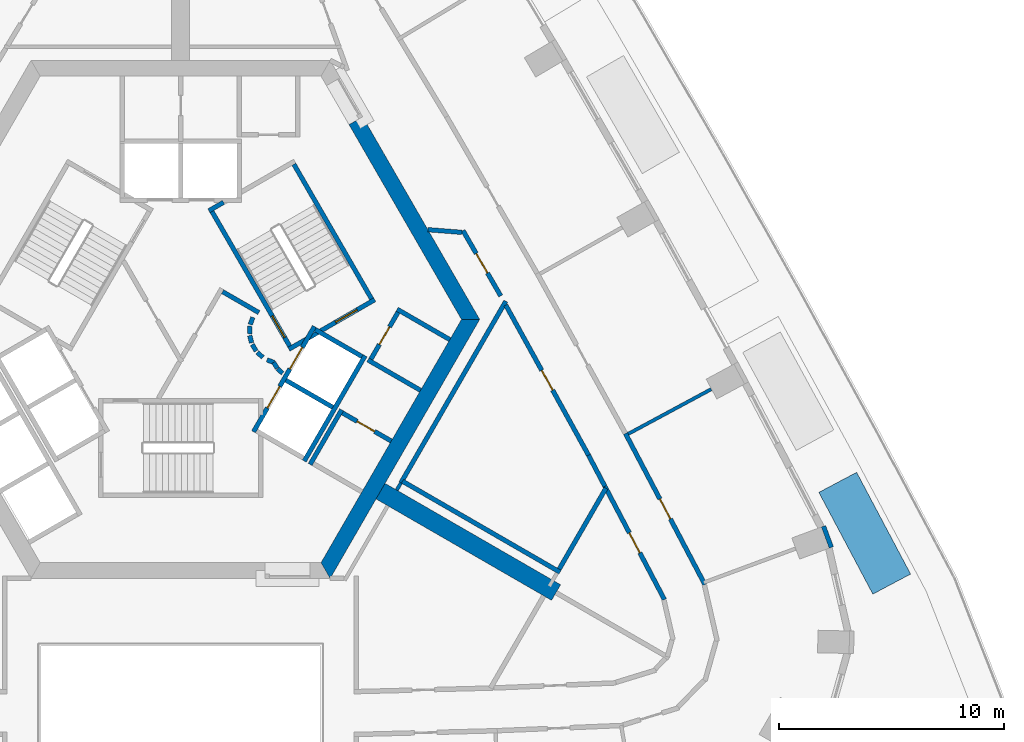
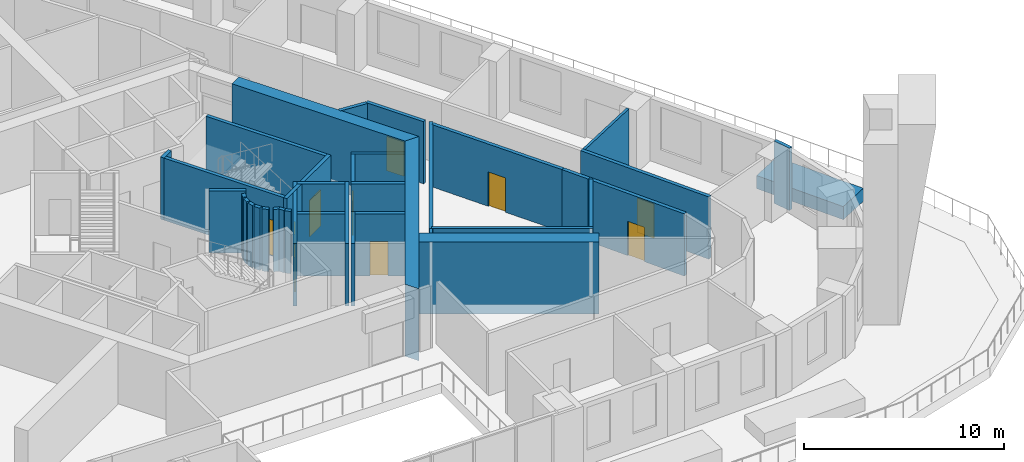
# One storey, part 7 of 13: 38 walls, 10 doors, 10 openings.
"""IFC4 building model written with IfcOpenShell, lengths in metres."""

from ifc_helpers import new_model, si_unit, direction, frame, frame_2d, origin, place, context, subcontext, project, spatial, polyline, rectangle, outline, extrude, material, layer, layer_set, type_object, element, fill, save


model = new_model("IFC4")

# Units and contexts
model_context = context("Model", 3, precision=1e-05, world=origin(), true_north=direction((0.0, 1.0)))
body_context = subcontext(model_context, "Body", "Model", "MODEL_VIEW")
ifc_project = project(units=[si_unit("LENGTHUNIT", "METRE"), si_unit("AREAUNIT", "SQUARE_METRE"), si_unit("VOLUMEUNIT", "CUBIC_METRE"), si_unit("PLANEANGLEUNIT", "RADIAN"), si_unit("MASSUNIT", "GRAM", prefix="KILO")], contexts=[model_context])

# Site, building, storey
site_placement = place(None, origin())
site = spatial("IfcSite", under=ifc_project, at=site_placement, CompositionType="ELEMENT")
building_placement = place(site_placement, origin())
building = spatial("IfcBuilding", under=site, at=building_placement, Name="Entoto Arch Interchange Tower", CompositionType="ELEMENT")
storey_placement = place(building_placement, frame((0.0, 0.0, 189.800048828125)))
storey = spatial("IfcBuildingStorey", under=building, at=storey_placement, Name="L42", CompositionType="ELEMENT", Elevation=189.800048828125)

# Walls
ifc_material_1 = material(Name="Concrete C50/60", Category="concrete")
ifc_layer_1 = layer(ifc_material_1, 0.800048828125)
ifc_layer_set_1 = layer_set([ifc_layer_1], Name="Concrete C50/60")
wall_type_1 = type_object("IfcWallType", Name="Buttress wall 800 C50/60", PredefinedType="SHEAR", material=ifc_layer_set_1)
wall_1_placement = place(storey_placement, frame((8.876953125, -5.125, -0.60009765625), z_axis=(0.0, 0.0, 1.0), x_axis=(0.866017533419, -0.500013631625, 0.0)))
element("IfcWall", 1, at=wall_1_placement, inside=storey, type_object=wall_type_1, Name="Buttress wall SE L42", PredefinedType="SHEAR", context=body_context, shape_type="SweptSolid", body=[
    extrude(rectangle(XDim=8.999755859375, YDim=0.800048828125, at=frame_2d((4.5, 0.0))), origin(), (0.0, 0.0, 1.0), 4.400146484375),
])
ifc_layer_2 = layer(ifc_material_1, 0.699951171875)
ifc_layer_set_2 = layer_set([ifc_layer_2], Name="Concrete C50/60")
wall_type_2 = type_object("IfcWallType", Name="Core wall 700 C50/60", PredefinedType="SHEAR", material=ifc_layer_set_2)
wall_2_placement = place(storey_placement, frame((0.0, 0.0, -0.60009765625)))
element("IfcWall", 2, at=wall_2_placement, inside=storey, type_object=wall_type_2, Name="Core wall NE L42", PredefinedType="SHEAR", context=body_context, shape_type="SweptSolid", body=[
    extrude(outline(polyline([(8.083984375, 11.498046875), (7.47802734375, 11.14794921875), (12.470947265625, 2.5), (13.279052734375, 2.5), (8.083984375, 11.498046875)])), origin(), (0.0, 0.0, 1.0), 4.400146484375),
])
wall_3_placement = place(storey_placement, frame((0.0, 0.0, -0.60009765625)))
element("IfcWall", 3, at=wall_3_placement, inside=storey, type_object=wall_type_2, Name="Core wall SE L42", PredefinedType="SHEAR", context=body_context, shape_type="SweptSolid", body=[
    extrude(outline(polyline([(6.639892578125, -9.0), (13.279052734375, 2.5), (12.470947265625, 2.5), (6.235107421875, -8.300048828125), (6.639892578125, -9.0)])), origin(), (0.0, 0.0, 1.0), 4.400146484375),
])

# Wall, openings, doors
ifc_material_2 = material(Name="Concrete C40/50", Category="concrete")
ifc_layer_3 = layer(ifc_material_2, 0.199951171875)
ifc_layer_set_3 = layer_set([ifc_layer_3], Name="Concrete C40/50")
wall_type_3 = type_object("IfcWallType", Name="LIFT SHAFT WALL 200", PredefinedType="STANDARD", material=ifc_layer_set_3)
wall_4_placement = place(storey_placement, frame((3.239990234375, -2.488037109375, 0.0), z_axis=(0.0, 0.0, 1.0), x_axis=(0.500034260056, 0.866005622828, 0.0)))
wall_4 = element("IfcWall", 4, at=wall_4_placement, inside=storey, type_object=wall_type_3, Name="Shaft wall SE1 front", PredefinedType="STANDARD", context=body_context, shape_type="SweptSolid", body=[
    extrude(rectangle(XDim=5.3994140625, YDim=0.199951171875, at=frame_2d((2.69970703125, 0.0))), origin(), (0.0, 0.0, 1.0), 3.800048828125),
])
opening_1_placement = place(wall_4_placement, frame((3.22509765625, 0.0, 0.0)))
opening_1 = element("IfcOpeningElement", 5, at=opening_1_placement, cuts=wall_4, Name="Opening LD-HR3-L42", PredefinedType="OPENING", context=body_context, shape_type="SweptSolid", body=[
    extrude(rectangle(XDim=1.10009765625, YDim=2.10009765625, at=frame_2d((0.550048828125, 1.050048828125))), frame((0.0, 0.10986328125, 0.0), z_axis=(0.0, -1.0, 0.0), x_axis=(1.0, 0.0, 0.0)), (0.0, 0.0, 1.0), 0.219970703125),
])
opening_2_placement = place(wall_4_placement, frame((1.22509765625, 0.0, 0.0)))
opening_2 = element("IfcOpeningElement", 6, at=opening_2_placement, cuts=wall_4, Name="Opening LD-FF1-L42", PredefinedType="OPENING", context=body_context, shape_type="SweptSolid", body=[
    extrude(rectangle(XDim=1.10009765625, YDim=2.10009765625, at=frame_2d((0.550048828125, 1.050048828125))), frame((0.0, 0.10986328125, 0.0), z_axis=(0.0, -1.0, 0.0), x_axis=(1.0, 0.0, 0.0)), (0.0, 0.0, 1.0), 0.219970703125),
])
ifc_material_3 = material(Name="Stainless steel 1.4301 panels", Category="steel")
door_type_1 = type_object("IfcDoorType", Name="LIFT LANDING DOOR LD1 1100x2100", OperationType="SLIDING_TO_LEFT", PredefinedType="DOOR", material=ifc_material_3)
door_1_placement = place(opening_1_placement, origin())
door_1 = element("IfcDoor", 7, at=door_1_placement, inside=storey, type_object=door_type_1, Name="Lift landing door HR3 L42", OperationType="SLIDING_TO_LEFT", OverallHeight=2.10009765625, OverallWidth=1.10009765625, PredefinedType="DOOR", context=body_context, shape_type="SweptSolid", body=[
    extrude(rectangle(XDim=1.10009765625, YDim=2.10009765625, at=frame_2d((0.550048828125, 1.050048828125))), frame((0.0, 0.02490234375, 0.0), z_axis=(0.0, -1.0, 0.0), x_axis=(1.0, 0.0, 0.0)), (0.0, 0.0, 1.0), 0.050048828125),
])
fill(opening_1, door_1)
door_2_placement = place(opening_2_placement, origin())
door_2 = element("IfcDoor", 8, at=door_2_placement, inside=storey, type_object=door_type_1, Name="Lift landing door FF1 L42", OperationType="SLIDING_TO_LEFT", OverallHeight=2.10009765625, OverallWidth=1.10009765625, PredefinedType="DOOR", context=body_context, shape_type="SweptSolid", body=[
    extrude(rectangle(XDim=1.10009765625, YDim=2.10009765625, at=frame_2d((0.550048828125, 1.050048828125))), frame((0.0, 0.02490234375, 0.0), z_axis=(0.0, -1.0, 0.0), x_axis=(1.0, 0.0, 0.0)), (0.0, 0.0, 1.0), 0.050048828125),
])
fill(opening_2, door_2)

# Walls
wall_5_placement = place(storey_placement, frame((5.491943359375, -3.7880859375, 0.0), z_axis=(0.0, 0.0, 1.0), x_axis=(0.500034260056, 0.866005622828, 0.0)))
element("IfcWall", 9, at=wall_5_placement, inside=storey, type_object=wall_type_3, Name="Shaft wall SE1 back", PredefinedType="STANDARD", context=body_context, shape_type="SweptSolid", body=[
    extrude(rectangle(XDim=5.3994140625, YDim=0.199951171875, at=frame_2d((2.69970703125, 0.0))), origin(), (0.0, 0.0, 1.0), 3.800048828125),
])
for number, where, z_axis, x_axis, name in (
    (10, (4.677001953125, -0.199951171875, 0.0), (0.0, 0.0, 1.0), (0.865973769406, -0.500089422704, 0.0), "Shaft wall SE1 cross 2"),
    (11, (5.97705078125, 2.052001953125, 0.0), (0.0, 0.0, 1.0), (0.865973769406, -0.500089422704, 0.0), "Shaft wall SE1 cross 3"),
):
    element("IfcWall", number, at=place(storey_placement, frame(where, z_axis=z_axis, x_axis=x_axis)), inside=storey, type_object=wall_type_3, Name=name, PredefinedType="STANDARD", context=body_context, shape_type="SweptSolid", body=[
        extrude(rectangle(XDim=2.3994140625, YDim=0.199951171875, at=frame_2d((1.19970703125, 0.0))), origin(), (0.0, 0.0, 1.0), 3.800048828125),
    ])
ifc_material_4 = material(Name="Gypsum board partition on steel studs", Category="steel")
ifc_layer_4 = layer(ifc_material_4, 0.14990234375)
ifc_layer_set_4 = layer_set([ifc_layer_4], Name="Gypsum board partition on steel studs")
wall_type_4 = type_object("IfcWallType", Name="PARTITION 150", PredefinedType="PARTITIONING", material=ifc_layer_set_4)
wall_6_placement = place(storey_placement, frame((19.873046875, -2.58203125, 0.0), z_axis=(0.0, 0.0, 1.0), x_axis=(0.880480475723, 0.474082410421, 0.0)))
element("IfcWall", 12, at=wall_6_placement, inside=storey, type_object=wall_type_4, Name="wall:L42:p111", PredefinedType="PARTITIONING", context=body_context, shape_type="SweptSolid", body=[
    extrude(rectangle(XDim=4.1806640625, YDim=0.14990234375, at=frame_2d((2.09033203125, 0.0))), origin(), (0.0, 0.0, 1.0), 3.800048828125),
])
wall_7_placement = place(storey_placement, frame((9.595947265625, -5.077880859375, 0.0), z_axis=(0.0, 0.0, 1.0), x_axis=(0.500827895298, 0.86554689029, 0.0)))
element("IfcWall", 13, at=wall_7_placement, inside=storey, type_object=wall_type_4, Name="wall:L42:p080", PredefinedType="PARTITIONING", context=body_context, shape_type="SweptSolid", body=[
    extrude(rectangle(XDim=0.369384765625, YDim=0.14990234375, at=frame_2d((0.1845703125, 0.0))), origin(), (0.0, 0.0, 1.0), 3.800048828125),
])

# Wall, opening, door
ifc_layer_5 = layer(ifc_material_4, 0.199951171875)
ifc_layer_set_5 = layer_set([ifc_layer_5], Name="Gypsum board partition on steel studs")
wall_type_5 = type_object("IfcWallType", Name="PARTITION 200", PredefinedType="PARTITIONING", material=ifc_layer_set_5)
wall_8_placement = place(storey_placement, frame((14.212890625, 3.54296875, 0.0), z_axis=(0.0, 0.0, 1.0), x_axis=(-0.500182898346, 0.865919781621, 0.0)))
wall_8 = element("IfcWall", 14, at=wall_8_placement, inside=storey, type_object=wall_type_5, Name="wall:L42:p005", PredefinedType="PARTITIONING", context=body_context, shape_type="SweptSolid", body=[
    extrude(rectangle(XDim=3.350341796875, YDim=0.199951171875, at=frame_2d((1.67529296875, 0.0))), origin(), (0.0, 0.0, 1.0), 3.800048828125),
])
opening_3_placement = place(wall_8_placement, frame((1.175048828125, 0.0, 0.0)))
opening_3 = element("IfcOpeningElement", 15, at=opening_3_placement, cuts=wall_8, Name="Opening L42-D27", PredefinedType="OPENING", context=body_context, shape_type="SweptSolid", body=[
    extrude(rectangle(XDim=1.0, YDim=2.10009765625, at=frame_2d((0.5, 1.050048828125))), frame((0.0, 0.10986328125, 0.0), z_axis=(0.0, -1.0, 0.0), x_axis=(1.0, 0.0, 0.0)), (0.0, 0.0, 1.0), 0.219970703125),
])
ifc_material_5 = material(Name="Timber door leaf in Steel S235 frame", Category="steel")
door_type_2 = type_object("IfcDoorType", Name="DOOR DS-10 1000x2100", OperationType="SINGLE_SWING_LEFT", PredefinedType="DOOR", material=ifc_material_5)
door_3_placement = place(opening_3_placement, origin())
door_3 = element("IfcDoor", 16, at=door_3_placement, inside=storey, type_object=door_type_2, Name="door:L42:27", OperationType="SINGLE_SWING_LEFT", OverallHeight=2.10009765625, OverallWidth=1.0, PredefinedType="DOOR", context=body_context, shape_type="SweptSolid", body=[
    extrude(rectangle(XDim=1.0, YDim=2.10009765625, at=frame_2d((0.5, 1.050048828125))), frame((0.0, 0.02490234375, 0.0), z_axis=(0.0, -1.0, 0.0), x_axis=(1.0, 0.0, 0.0)), (0.0, 0.0, 1.0), 0.050048828125),
])
fill(opening_3, door_3)

# Walls
wall_9_placement = place(storey_placement, frame((12.488037109375, 6.365966796875, 0.0), z_axis=(0.0, 0.0, 1.0), x_axis=(-0.996960771308, 0.077905201835, 0.0)))
element("IfcWall", 17, at=wall_9_placement, inside=storey, type_object=wall_type_5, Name="wall:L42:p006", PredefinedType="PARTITIONING", context=body_context, shape_type="SweptSolid", body=[
    extrude(rectangle(XDim=1.513671875, YDim=0.199951171875, at=frame_2d((0.7568359375, 0.0))), origin(), (0.0, 0.0, 1.0), 3.800048828125),
])
wall_10_placement = place(storey_placement, frame((18.8359375, -4.906005859375, 0.0), z_axis=(0.0, 0.0, 1.0), x_axis=(-0.465843561357, 0.884867095299, 0.0)))
element("IfcWall", 18, at=wall_10_placement, inside=storey, type_object=wall_type_5, Name="wall:L42:p018", PredefinedType="PARTITIONING", context=body_context, shape_type="SweptSolid", body=[
    extrude(rectangle(XDim=1.553955078125, YDim=0.199951171875, at=frame_2d((0.77685546875, 0.0))), origin(), (0.0, 0.0, 1.0), 3.800048828125),
])

# Wall, opening, door
wall_11_placement = place(storey_placement, frame((18.112060546875, -3.531005859375, 0.0), z_axis=(0.0, 0.0, 1.0), x_axis=(-0.482800061144, 0.875730609811, 0.0)))
wall_11 = element("IfcWall", 19, at=wall_11_placement, inside=storey, type_object=wall_type_5, Name="wall:L42:p019", PredefinedType="PARTITIONING", context=body_context, shape_type="SweptSolid", body=[
    extrude(rectangle(XDim=7.612060546875, YDim=0.199951171875, at=frame_2d((3.80615234375, 0.0))), origin(), (0.0, 0.0, 1.0), 3.800048828125),
])
opening_4_placement = place(wall_11_placement, frame((3.305908203125, 0.0, 0.0)))
opening_4 = element("IfcOpeningElement", 20, at=opening_4_placement, cuts=wall_11, Name="Opening L42-D18", PredefinedType="OPENING", context=body_context, shape_type="SweptSolid", body=[
    extrude(rectangle(XDim=1.0, YDim=2.10009765625, at=frame_2d((0.5, 1.050048828125))), frame((0.0, 0.10986328125, 0.0), z_axis=(0.0, -1.0, 0.0), x_axis=(1.0, 0.0, 0.0)), (0.0, 0.0, 1.0), 0.219970703125),
])
door_4_placement = place(opening_4_placement, origin())
door_4 = element("IfcDoor", 21, at=door_4_placement, inside=storey, type_object=door_type_2, Name="door:L42:18", OperationType="SINGLE_SWING_LEFT", OverallHeight=2.10009765625, OverallWidth=1.0, PredefinedType="DOOR", context=body_context, shape_type="SweptSolid", body=[
    extrude(rectangle(XDim=1.0, YDim=2.10009765625, at=frame_2d((0.5, 1.050048828125))), frame((0.0, 0.02490234375, 0.0), z_axis=(0.0, -1.0, 0.0), x_axis=(1.0, 0.0, 0.0)), (0.0, 0.0, 1.0), 0.050048828125),
])
fill(opening_4, door_4)

wall_12_placement = place(storey_placement, frame((21.47998046875, -9.93505859375, 0.0), z_axis=(0.0, 0.0, 1.0), x_axis=(-0.465356775138, 0.885123195851, 0.0)))
wall_12 = element("IfcWall", 22, at=wall_12_placement, inside=storey, type_object=wall_type_5, Name="wall:L42:p025", PredefinedType="PARTITIONING", context=body_context, shape_type="SweptSolid", body=[
    extrude(rectangle(XDim=5.681640625, YDim=0.199951171875, at=frame_2d((2.8408203125, 0.0))), origin(), (0.0, 0.0, 1.0), 3.800048828125),
])
opening_5_placement = place(wall_12_placement, frame((2.341064453125, 0.0, 0.0)))
opening_5 = element("IfcOpeningElement", 23, at=opening_5_placement, cuts=wall_12, Name="Opening L42-D20", PredefinedType="OPENING", context=body_context, shape_type="SweptSolid", body=[
    extrude(rectangle(XDim=1.0, YDim=2.10009765625, at=frame_2d((0.5, 1.050048828125))), frame((0.0, 0.10986328125, 0.0), z_axis=(0.0, -1.0, 0.0), x_axis=(1.0, 0.0, 0.0)), (0.0, 0.0, 1.0), 0.219970703125),
])
door_5_placement = place(opening_5_placement, origin())
door_5 = element("IfcDoor", 24, at=door_5_placement, inside=storey, type_object=door_type_2, Name="door:L42:20", OperationType="SINGLE_SWING_LEFT", OverallHeight=2.10009765625, OverallWidth=1.0, PredefinedType="DOOR", context=body_context, shape_type="SweptSolid", body=[
    extrude(rectangle(XDim=1.0, YDim=2.10009765625, at=frame_2d((0.5, 1.050048828125))), frame((0.0, 0.02490234375, 0.0), z_axis=(0.0, -1.0, 0.0), x_axis=(1.0, 0.0, 0.0)), (0.0, 0.0, 1.0), 0.050048828125),
])
fill(opening_5, door_5)

wall_13_placement = place(storey_placement, frame((19.75, -2.56298828125, 0.0), z_axis=(0.0, 0.0, 1.0), x_axis=(0.465444987791, -0.885076812113, 0.0)))
wall_13 = element("IfcWall", 25, at=wall_13_placement, inside=storey, type_object=wall_type_5, Name="wall:L42:p041", PredefinedType="PARTITIONING", context=body_context, shape_type="SweptSolid", body=[
    extrude(rectangle(XDim=7.577880859375, YDim=0.199951171875, at=frame_2d((3.7890625, 0.0))), origin(), (0.0, 0.0, 1.0), 3.800048828125),
])
opening_6_placement = place(wall_13_placement, frame((3.2890625, 0.0, 0.0)))
opening_6 = element("IfcOpeningElement", 26, at=opening_6_placement, cuts=wall_13, Name="Opening L42-D04", PredefinedType="OPENING", context=body_context, shape_type="SweptSolid", body=[
    extrude(rectangle(XDim=1.0, YDim=2.10009765625, at=frame_2d((0.5, 1.050048828125))), frame((0.0, 0.10986328125, 0.0), z_axis=(0.0, -1.0, 0.0), x_axis=(1.0, 0.0, 0.0)), (0.0, 0.0, 1.0), 0.219970703125),
])
door_6_placement = place(opening_6_placement, origin())
door_6 = element("IfcDoor", 27, at=door_6_placement, inside=storey, type_object=door_type_2, Name="door:L42:04", OperationType="SINGLE_SWING_LEFT", OverallHeight=2.10009765625, OverallWidth=1.0, PredefinedType="DOOR", context=body_context, shape_type="SweptSolid", body=[
    extrude(rectangle(XDim=1.0, YDim=2.10009765625, at=frame_2d((0.5, 1.050048828125))), frame((0.0, 0.02490234375, 0.0), z_axis=(0.0, -1.0, 0.0), x_axis=(1.0, 0.0, 0.0)), (0.0, 0.0, 1.0), 0.050048828125),
])
fill(opening_6, door_6)

# Wall
wall_14_placement = place(storey_placement, frame((5.7509765625, -3.93798828125, 0.0), z_axis=(0.0, 0.0, 1.0), x_axis=(0.49994636267, 0.866056369097, 0.0)))
element("IfcWall", 28, at=wall_14_placement, inside=storey, type_object=wall_type_5, Name="wall:L42:p072", PredefinedType="PARTITIONING", context=body_context, shape_type="SweptSolid", body=[
    extrude(rectangle(XDim=2.800048828125, YDim=0.199951171875, at=frame_2d((1.39990234375, 0.0))), origin(), (0.0, 0.0, 1.0), 3.800048828125),
])

# Wall, opening, door
wall_15_placement = place(storey_placement, frame((7.18798828125, -1.64990234375, 0.0), z_axis=(0.0, 0.0, 1.0), x_axis=(0.866022959057, -0.500004234368, 0.0)))
wall_15 = element("IfcWall", 29, at=wall_15_placement, inside=storey, type_object=wall_type_5, Name="wall:L42:p073", PredefinedType="PARTITIONING", context=body_context, shape_type="SweptSolid", body=[
    extrude(rectangle(XDim=2.5, YDim=0.199951171875, at=frame_2d((1.25, 0.0))), origin(), (0.0, 0.0, 1.0), 3.800048828125),
])
opening_7_placement = place(wall_15_placement, frame((0.75, 0.0, 0.0)))
opening_7 = element("IfcOpeningElement", 30, at=opening_7_placement, cuts=wall_15, Name="Opening L42-D32", PredefinedType="OPENING", context=body_context, shape_type="SweptSolid", body=[
    extrude(rectangle(XDim=0.89990234375, YDim=2.10009765625, at=frame_2d((0.449951171875, 1.050048828125))), frame((0.0, 0.10986328125, 0.0), z_axis=(0.0, -1.0, 0.0), x_axis=(1.0, 0.0, 0.0)), (0.0, 0.0, 1.0), 0.219970703125),
])
door_type_3 = type_object("IfcDoorType", Name="DOOR DS-09 900x2100", OperationType="SINGLE_SWING_LEFT", PredefinedType="DOOR", material=ifc_material_5)
door_7_placement = place(opening_7_placement, origin())
door_7 = element("IfcDoor", 31, at=door_7_placement, inside=storey, type_object=door_type_3, Name="door:L42:32", OperationType="SINGLE_SWING_RIGHT", OverallHeight=2.10009765625, OverallWidth=0.89990234375, PredefinedType="DOOR", context=body_context, shape_type="SweptSolid", body=[
    extrude(rectangle(XDim=0.89990234375, YDim=2.10009765625, at=frame_2d((0.449951171875, 1.050048828125))), frame((0.0, 0.02490234375, 0.0), z_axis=(0.0, -1.0, 0.0), x_axis=(1.0, 0.0, 0.0)), (0.0, 0.0, 1.0), 0.050048828125),
])
fill(opening_7, door_7)

# Wall
wall_16_placement = place(storey_placement, frame((10.653076171875, -0.64794921875, 0.0), z_axis=(0.0, 0.0, 1.0), x_axis=(-0.866036505625, 0.499980770555, 0.0)))
element("IfcWall", 32, at=wall_16_placement, inside=storey, type_object=wall_type_5, Name="wall:L42:p074", PredefinedType="PARTITIONING", context=body_context, shape_type="SweptSolid", body=[
    extrude(rectangle(XDim=2.69970703125, YDim=0.199951171875, at=frame_2d((1.349853515625, 0.0))), origin(), (0.0, 0.0, 1.0), 3.800048828125),
])

# Wall, opening, door
wall_17_placement = place(storey_placement, frame((8.450927734375, 0.738037109375, 0.0), z_axis=(0.0, 0.0, 1.0), x_axis=(0.499913221443, 0.866075499611, 0.0)))
wall_17 = element("IfcWall", 33, at=wall_17_placement, inside=storey, type_object=wall_type_5, Name="wall:L42:p075", PredefinedType="PARTITIONING", context=body_context, shape_type="SweptSolid", body=[
    extrude(rectangle(XDim=2.400390625, YDim=0.199951171875, at=frame_2d((1.2001953125, 0.0))), origin(), (0.0, 0.0, 1.0), 3.800048828125),
])
opening_8_placement = place(wall_17_placement, frame((0.75, 0.0, 0.0)))
opening_8 = element("IfcOpeningElement", 34, at=opening_8_placement, cuts=wall_17, Name="Opening L42-D33", PredefinedType="OPENING", context=body_context, shape_type="SweptSolid", body=[
    extrude(rectangle(XDim=0.89990234375, YDim=2.10009765625, at=frame_2d((0.449951171875, 1.050048828125))), frame((0.0, 0.10986328125, 0.0), z_axis=(0.0, -1.0, 0.0), x_axis=(1.0, 0.0, 0.0)), (0.0, 0.0, 1.0), 0.219970703125),
])
door_8_placement = place(opening_8_placement, origin())
door_8 = element("IfcDoor", 35, at=door_8_placement, inside=storey, type_object=door_type_3, Name="door:L42:33", OperationType="SINGLE_SWING_LEFT", OverallHeight=2.10009765625, OverallWidth=0.89990234375, PredefinedType="DOOR", context=body_context, shape_type="SweptSolid", body=[
    extrude(rectangle(XDim=0.89990234375, YDim=2.10009765625, at=frame_2d((0.449951171875, 1.050048828125))), frame((0.0, 0.02490234375, 0.0), z_axis=(0.0, -1.0, 0.0), x_axis=(1.0, 0.0, 0.0)), (0.0, 0.0, 1.0), 0.050048828125),
])
fill(opening_8, door_8)

# Walls
wall_18_placement = place(storey_placement, frame((9.614990234375, 2.952880859375, 0.0), z_axis=(0.0, 0.0, 1.0), x_axis=(0.866013897511, -0.50001992892, 0.0)))
element("IfcWall", 36, at=wall_18_placement, inside=storey, type_object=wall_type_5, Name="wall:L42:p076", PredefinedType="PARTITIONING", context=body_context, shape_type="SweptSolid", body=[
    extrude(rectangle(XDim=2.69970703125, YDim=0.199951171875, at=frame_2d((1.349853515625, 0.0))), origin(), (0.0, 0.0, 1.0), 3.800048828125),
])
wall_19_placement = place(storey_placement, frame((9.781005859375, -4.758056640625, 0.0), z_axis=(0.0, 0.0, 1.0), x_axis=(0.50003174578, 0.866007074574, 0.0)))
element("IfcWall", 37, at=wall_19_placement, inside=storey, type_object=wall_type_5, Name="wall:L42:p081", PredefinedType="PARTITIONING", context=body_context, shape_type="SweptSolid", body=[
    extrude(rectangle(XDim=9.3154296875, YDim=0.199951171875, at=frame_2d((4.65771484375, 0.0))), origin(), (0.0, 0.0, 1.0), 3.800048828125),
])
wall_20_placement = place(storey_placement, frame((1.865966796875, 3.73193359375, 0.0), z_axis=(0.0, 0.0, 1.0), x_axis=(0.866043361281, -0.499968895414, 0.0)))
element("IfcWall", 38, at=wall_20_placement, inside=storey, type_object=wall_type_5, Name="wall:L42:p084", PredefinedType="PARTITIONING", context=body_context, shape_type="SweptSolid", body=[
    extrude(rectangle(XDim=1.85791015625, YDim=0.199951171875, at=frame_2d((0.928955078125, 0.0))), origin(), (0.0, 0.0, 1.0), 3.800048828125),
])
wall_21_placement = place(storey_placement, frame((3.2080078125, 2.592041015625, 0.0), z_axis=(0.0, 0.0, 1.0), x_axis=(-0.337388820924, -0.941365382578, 0.0)))
element("IfcWall", 39, at=wall_21_placement, inside=storey, type_object=wall_type_5, Name="wall:L42:p085", PredefinedType="PARTITIONING", context=body_context, shape_type="SweptSolid", body=[
    extrude(rectangle(XDim=0.337890625, YDim=0.199951171875, at=frame_2d((0.1689453125, 0.0))), origin(), (0.0, 0.0, 1.0), 3.800048828125),
])
wall_22_placement = place(storey_placement, frame((3.0791015625, 2.198974609375, 0.0), z_axis=(0.0, 0.0, 1.0), x_axis=(-0.047771483479, -0.998858290933, 0.0)))
element("IfcWall", 40, at=wall_22_placement, inside=storey, type_object=wall_type_5, Name="wall:L42:p086", PredefinedType="PARTITIONING", context=body_context, shape_type="SweptSolid", body=[
    extrude(rectangle(XDim=0.33740234375, YDim=0.199951171875, at=frame_2d((0.168701171875, 0.0))), origin(), (0.0, 0.0, 1.0), 3.800048828125),
])
wall_23_placement = place(storey_placement, frame((3.070068359375, 1.785888671875, 0.0), z_axis=(0.0, 0.0, 1.0), x_axis=(0.242705583207, -0.970099994784, 0.0)))
element("IfcWall", 41, at=wall_23_placement, inside=storey, type_object=wall_type_5, Name="wall:L42:p087", PredefinedType="PARTITIONING", context=body_context, shape_type="SweptSolid", body=[
    extrude(rectangle(XDim=0.337890625, YDim=0.199951171875, at=frame_2d((0.1689453125, 0.0))), origin(), (0.0, 0.0, 1.0), 3.800048828125),
])
for number, where, z_axis, x_axis, name in (
    (42, (3.181884765625, 1.387939453125, 0.0), (0.0, 0.0, 1.0), (0.512474702713, -0.85870232274, 0.0), "wall:L42:p088"),
    (43, (3.404052734375, 1.0390625, 0.0), (0.0, 0.0, 1.0), (0.740267097712, -0.672312891476, 0.0), "wall:L42:p089"),
):
    element("IfcWall", number, at=place(storey_placement, frame(where, z_axis=z_axis, x_axis=x_axis)), inside=storey, type_object=wall_type_5, Name=name, PredefinedType="PARTITIONING", context=body_context, shape_type="SweptSolid", body=[
        extrude(rectangle(XDim=0.337646484375, YDim=0.199951171875, at=frame_2d((0.1689453125, 0.0))), origin(), (0.0, 0.0, 1.0), 3.800048828125),
    ])
wall_24_placement = place(storey_placement, frame((3.837890625, 0.701904296875, 0.0), z_axis=(0.0, 0.0, 1.0), x_axis=(0.941035081519, -0.338308993895, 0.0)))
element("IfcWall", 44, at=wall_24_placement, inside=storey, type_object=wall_type_5, Name="wall:L42:p090", PredefinedType="PARTITIONING", context=body_context, shape_type="SweptSolid", body=[
    extrude(rectangle(XDim=0.3369140625, YDim=0.199951171875, at=frame_2d((0.16845703125, 0.0))), origin(), (0.0, 0.0, 1.0), 3.800048828125),
])
wall_25_placement = place(storey_placement, frame((4.132080078125, 0.593017578125, 0.0), z_axis=(0.0, 0.0, 1.0), x_axis=(0.513561617048, -0.858052717201, 0.0)))
element("IfcWall", 45, at=wall_25_placement, inside=storey, type_object=wall_type_5, Name="wall:L42:p091", PredefinedType="PARTITIONING", context=body_context, shape_type="SweptSolid", body=[
    extrude(rectangle(XDim=0.3076171875, YDim=0.199951171875, at=frame_2d((0.15380859375, 0.0))), origin(), (0.0, 0.0, 1.0), 3.800048828125),
])
wall_26_placement = place(storey_placement, frame((4.301025390625, 0.31494140625, 0.0), z_axis=(0.0, 0.0, 1.0), x_axis=(0.741798017506, -0.670623367639, 0.0)))
element("IfcWall", 46, at=wall_26_placement, inside=storey, type_object=wall_type_5, Name="wall:L42:p092", PredefinedType="PARTITIONING", context=body_context, shape_type="SweptSolid", body=[
    extrude(rectangle(XDim=0.30859375, YDim=0.199951171875, at=frame_2d((0.154296875, 0.0))), origin(), (0.0, 0.0, 1.0), 3.800048828125),
])
wall_27_placement = place(storey_placement, frame((9.85302734375, -4.68408203125, 0.0), z_axis=(0.0, 0.0, 1.0), x_axis=(0.865999791918, -0.500044358431, 0.0)))
element("IfcWall", 47, at=wall_27_placement, inside=storey, type_object=wall_type_5, Name="wall:L42:p103", PredefinedType="PARTITIONING", context=body_context, shape_type="SweptSolid", body=[
    extrude(rectangle(XDim=8.074951171875, YDim=0.199951171875, at=frame_2d((4.03759765625, 0.0))), origin(), (0.0, 0.0, 1.0), 3.800048828125),
])
wall_28_placement = place(storey_placement, frame((18.882080078125, -4.9951171875, 0.0), z_axis=(0.0, 0.0, 1.0), x_axis=(-0.499895813511, -0.866085547527, 0.0)))
element("IfcWall", 48, at=wall_28_placement, inside=storey, type_object=wall_type_5, Name="wall:L42:p106", PredefinedType="PARTITIONING", context=body_context, shape_type="SweptSolid", body=[
    extrude(rectangle(XDim=4.14501953125, YDim=0.199951171875, at=frame_2d((2.072509765625, 0.0))), origin(), (0.0, 0.0, 1.0), 3.800048828125),
])
ifc_material_6 = material(Name="Board-marked precast concrete C50/60", Category="concrete")
ifc_layer_6 = layer(ifc_material_6, 1.89990234375)
ifc_layer_set_6 = layer_set([ifc_layer_6], Name="Board-marked precast concrete C50/60")
wall_type_6 = type_object("IfcWallType", Name="PLANTER RC 1900 Juniperus procera", PredefinedType="STANDARD", material=ifc_layer_set_6)
wall_29_placement = place(storey_placement, frame((31.572021484375, -9.2509765625, 0.0), z_axis=(0.0, 0.0, 1.0), x_axis=(-0.468659554366, 0.883378866683, 0.0)))
element("IfcWall", 49, at=wall_29_placement, inside=storey, type_object=wall_type_6, Name="Terrace planter NE-01 L42", PredefinedType="STANDARD", context=body_context, shape_type="SweptSolid", body=[
    extrude(rectangle(XDim=5.114501953125, YDim=1.89990234375, at=frame_2d((2.55712890625, 0.0))), origin(), (0.0, 0.0, 1.0), 0.800048828125),
])

# Wall, opening, door
ifc_layer_7 = layer(ifc_material_2, 0.199951171875)
ifc_layer_set_7 = layer_set([ifc_layer_7], Name="Concrete C40/50")
wall_type_7 = type_object("IfcWallType", Name="STAIR ENCLOSURE WALL 200", PredefinedType="STANDARD", material=ifc_layer_set_7)
wall_30_placement = place(storey_placement, frame((4.805908203125, 1.176025390625, 0.0), z_axis=(0.0, 0.0, 1.0), x_axis=(0.866059941101, 0.499940174841, 0.0)))
wall_30 = element("IfcWall", 50, at=wall_30_placement, inside=storey, type_object=wall_type_7, Name="Stair wall ST-NE near", PredefinedType="STANDARD", context=body_context, shape_type="SweptSolid", body=[
    extrude(rectangle(XDim=4.400390625, YDim=0.199951171875, at=frame_2d((2.2001953125, 0.0))), origin(), (0.0, 0.0, 1.0), 3.800048828125),
])
opening_9_placement = place(wall_30_placement, frame((2.39990234375, 0.0, 0.0)))
opening_9 = element("IfcOpeningElement", 51, at=opening_9_placement, cuts=wall_30, Name="Opening SD-ST-NE-L42-E", PredefinedType="OPENING", context=body_context, shape_type="SweptSolid", body=[
    extrude(rectangle(XDim=1.10009765625, YDim=2.199951171875, at=frame_2d((0.550048828125, 1.10009765625))), frame((0.0, 0.10986328125, 0.0), z_axis=(0.0, -1.0, 0.0), x_axis=(1.0, 0.0, 0.0)), (0.0, 0.0, 1.0), 0.219970703125),
])
ifc_material_7 = material(Name="Steel S235", Category="steel")
door_type_4 = type_object("IfcDoorType", Name="STAIR DOOR SD1 1100x2200", OperationType="SINGLE_SWING_LEFT", PredefinedType="DOOR", material=ifc_material_7)
door_9_placement = place(opening_9_placement, origin())
door_9 = element("IfcDoor", 52, at=door_9_placement, inside=storey, type_object=door_type_4, Name="Stair door ST-NE L42 end", OperationType="SINGLE_SWING_LEFT", OverallHeight=2.199951171875, OverallWidth=1.10009765625, PredefinedType="DOOR", context=body_context, shape_type="SweptSolid", body=[
    extrude(rectangle(XDim=1.10009765625, YDim=2.199951171875, at=frame_2d((0.550048828125, 1.10009765625))), frame((0.0, 0.02490234375, 0.0), z_axis=(0.0, -1.0, 0.0), x_axis=(1.0, 0.0, 0.0)), (0.0, 0.0, 1.0), 0.050048828125),
])
fill(opening_9, door_9)

# Wall
wall_31_placement = place(storey_placement, frame((1.256103515625, 7.323974609375, 0.0), z_axis=(0.0, 0.0, 1.0), x_axis=(0.865915093549, 0.500191014278, 0.0)))
element("IfcWall", 53, at=wall_31_placement, inside=storey, type_object=wall_type_7, Name="Stair wall ST-NE far return", PredefinedType="STANDARD", context=body_context, shape_type="SweptSolid", body=[
    extrude(rectangle(XDim=0.751708984375, YDim=0.199951171875, at=frame_2d((0.3759765625, 0.0))), origin(), (0.0, 0.0, 1.0), 3.800048828125),
])

# Wall, opening, door
wall_32_placement = place(storey_placement, frame((4.843017578125, 1.31201171875, 0.0), z_axis=(0.0, 0.0, 1.0), x_axis=(-0.499963383562, 0.866046543262, 0.0)))
wall_32 = element("IfcWall", 54, at=wall_32_placement, inside=storey, type_object=wall_type_7, Name="Stair wall ST-NE hall", PredefinedType="STANDARD", context=body_context, shape_type="SweptSolid", body=[
    extrude(rectangle(XDim=6.900390625, YDim=0.199951171875, at=frame_2d((3.4501953125, 0.0))), origin(), (0.0, 0.0, 1.0), 3.800048828125),
])
opening_10_placement = place(wall_32_placement, frame((0.449951171875, 0.0, 0.0)))
opening_10 = element("IfcOpeningElement", 55, at=opening_10_placement, cuts=wall_32, Name="Opening SD-ST-NE-L42", PredefinedType="OPENING", context=body_context, shape_type="SweptSolid", body=[
    extrude(rectangle(XDim=1.10009765625, YDim=2.199951171875, at=frame_2d((0.550048828125, 1.10009765625))), frame((0.0, 0.10986328125, 0.0), z_axis=(0.0, -1.0, 0.0), x_axis=(1.0, 0.0, 0.0)), (0.0, 0.0, 1.0), 0.219970703125),
])
door_10_placement = place(opening_10_placement, origin())
door_10 = element("IfcDoor", 56, at=door_10_placement, inside=storey, type_object=door_type_4, Name="Stair door ST-NE L42", OperationType="SINGLE_SWING_LEFT", OverallHeight=2.199951171875, OverallWidth=1.10009765625, PredefinedType="DOOR", context=body_context, shape_type="SweptSolid", body=[
    extrude(rectangle(XDim=1.10009765625, YDim=2.199951171875, at=frame_2d((0.550048828125, 1.10009765625))), frame((0.0, 0.02490234375, 0.0), z_axis=(0.0, -1.0, 0.0), x_axis=(1.0, 0.0, 0.0)), (0.0, 0.0, 1.0), 0.050048828125),
])
fill(opening_10, door_10)

# Walls
wall_33_placement = place(storey_placement, frame((8.47998046875, 3.412109375, 0.0), z_axis=(0.0, 0.0, 1.0), x_axis=(-0.499978703459, 0.866037698999, 0.0)))
element("IfcWall", 57, at=wall_33_placement, inside=storey, type_object=wall_type_7, Name="Stair wall ST-NE back", PredefinedType="STANDARD", context=body_context, shape_type="SweptSolid", body=[
    extrude(rectangle(XDim=6.900146484375, YDim=0.199951171875, at=frame_2d((3.4501953125, 0.0))), origin(), (0.0, 0.0, 1.0), 3.800048828125),
])
ifc_material_8 = material(Name="Welded tuff (ignimbrite) cladding, warm buff", Category="masonry")
ifc_layer_8 = layer(ifc_material_8, 0.199951171875)
ifc_layer_set_8 = layer_set([ifc_layer_8], Name="Welded tuff (ignimbrite) cladding, warm buff")
wall_type_8 = type_object("IfcWallType", Name="STONE PIER CLADDING 200", PredefinedType="STANDARD", material=ifc_layer_set_8)
wall_34_placement = place(storey_placement, frame((28.89111328125, -7.62109375, 0.0), z_axis=(0.0, 0.0, 1.0), x_axis=(-0.347107644204, 0.937825294677, 0.0)))
element("IfcWall", 58, at=wall_34_placement, inside=storey, type_object=wall_type_8, Name="Stone pier NE01 L42", PredefinedType="STANDARD", context=body_context, shape_type="SweptSolid", body=[
    extrude(rectangle(XDim=1.000244140625, YDim=0.199951171875, at=frame_2d((0.5, 0.0))), origin(), (0.0, 0.0, 1.0), 3.800048828125),
])

save(model, "model.ifc")
